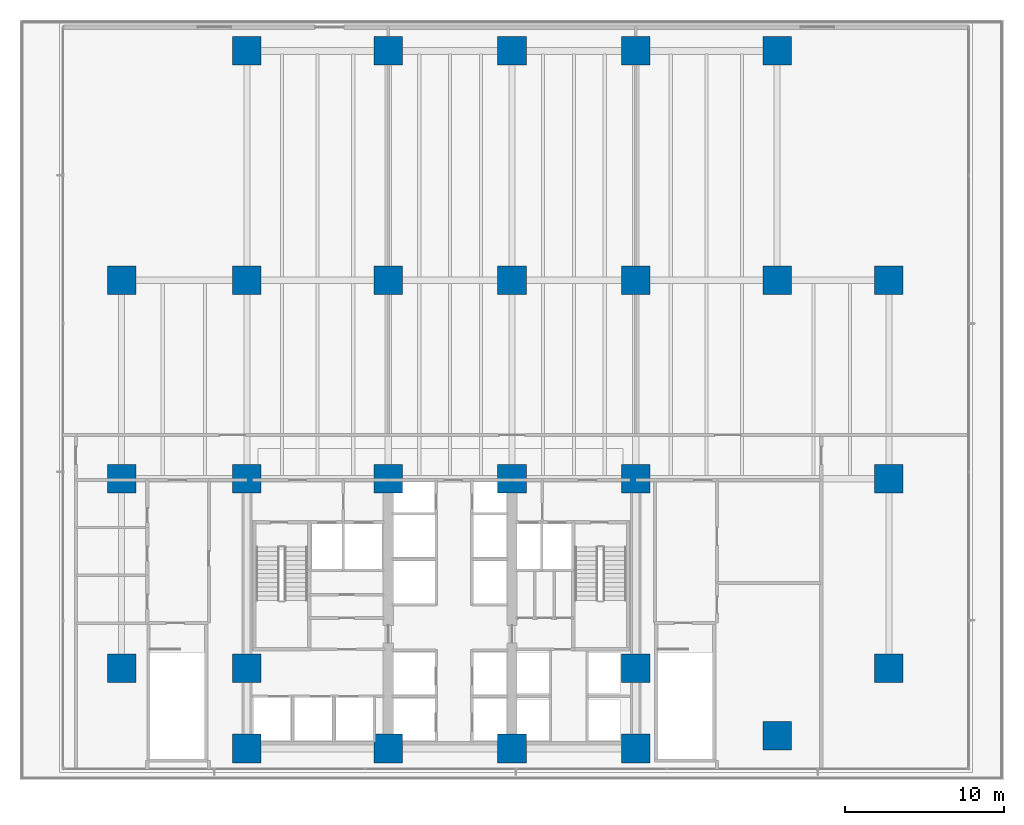
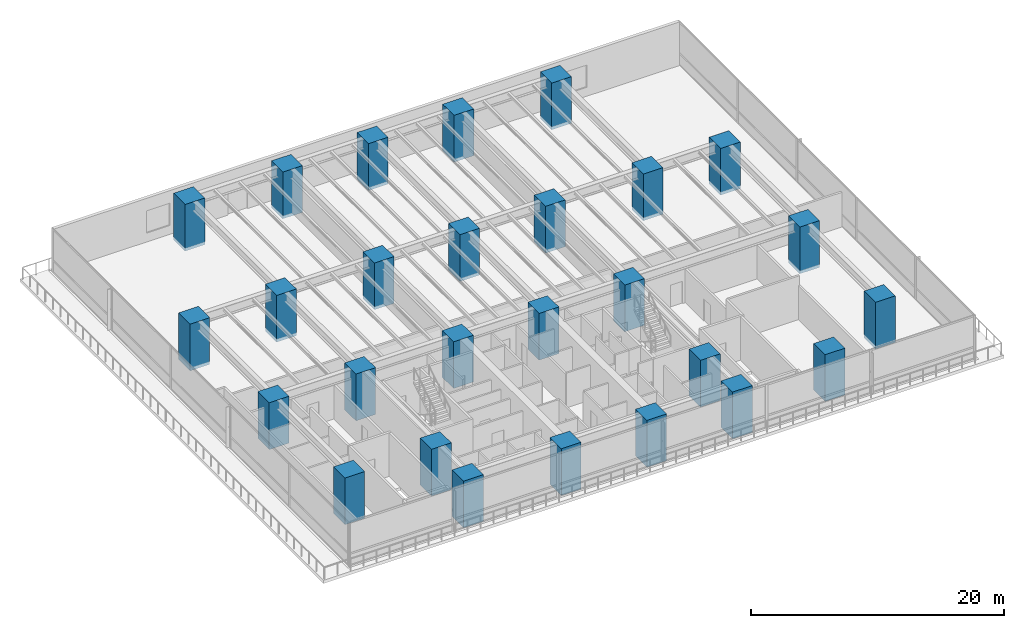
# One storey, part 1 of 21: 27 columns.
"""IFC4 building model written with IfcOpenShell, lengths in metres."""

import ifcopenshell
import ifcopenshell.guid

model = None  # the IFC model being written
_history = None  # IfcOwnerHistory: only IFC2X3 demands one
_inside = {}  # id of a spatial element -> (the spatial element, [elements in it])
_under = {}  # id of a project, library or spatial element -> (it, [spatial elements below it])
_declared = {}  # id of a project -> (the project, [libraries it declares])
_typed = {}  # id of a type object -> (the type object, [elements of that type])
_made_of = {}  # id of a material, layer set ... -> (it, [elements and type objects made of it])


def new_model(schema):
    """Start an empty IFC model of exactly this schema.

    Asked for "IFC4X3", IfcOpenShell would pick the latest addendum, in which some entities
    have other attributes; the version numbers below select the first issue.
    IFC2X3 requires an IfcOwnerHistory on every rooted entity: one is made here for all.
    """
    global model, _history
    if schema == "IFC4X3":
        model = ifcopenshell.file(schema_version=(4, 3, 0, 0))
    else:
        model = ifcopenshell.file(schema=schema)
    _inside.clear()
    _under.clear()
    _declared.clear()
    _typed.clear()
    _made_of.clear()
    _history = None
    if model.schema == "IFC2X3":
        org = make("IfcOrganization", Name="unknown")
        user = make(
            "IfcPersonAndOrganization",
            ThePerson=make("IfcPerson", FamilyName="unknown"),
            TheOrganization=org,
        )
        app = make(
            "IfcApplication",
            ApplicationDeveloper=org,
            Version="unknown",
            ApplicationFullName="unknown",
            ApplicationIdentifier="unknown",
        )
        _history = make(
            "IfcOwnerHistory",
            OwningUser=user,
            OwningApplication=app,
            ChangeAction="ADDED",
            CreationDate=0,
        )
    return model


def make(cls, **values):
    """One entity of the class cls with the attributes given. An attribute that is None is left unset."""
    return model.create_entity(
        cls, **{name: value for name, value in values.items() if value is not None}
    )


def rooted(cls, **values):
    """An entity with a GlobalId (a new one), such as an element, a storey or a relation."""
    return make(cls, GlobalId=ifcopenshell.guid.new(), OwnerHistory=_history, **values)


def si_unit(unit_type, name, prefix=None):
    """IfcSIUnit, for example si_unit("LENGTHUNIT", "METRE", prefix="MILLI")."""
    return make("IfcSIUnit", UnitType=unit_type, Prefix=prefix, Name=name)


def assignment(units):
    """IfcUnitAssignment: the units of a project."""
    return None if units is None else make("IfcUnitAssignment", Units=units)


def point(xyz):
    """IfcCartesianPoint."""
    return None if xyz is None else make("IfcCartesianPoint", Coordinates=xyz)


def direction(xyz):
    """IfcDirection."""
    return None if xyz is None else make("IfcDirection", DirectionRatios=xyz)


def frame(location, z_axis=None, x_axis=None):
    """IfcAxis2Placement3D, a coordinate frame: its origin and axes. An axis left out is left unset."""
    return make(
        "IfcAxis2Placement3D",
        Location=point(location),
        Axis=direction(z_axis),
        RefDirection=direction(x_axis),
    )


def frame_2d(location, x_axis=None):
    """IfcAxis2Placement2D, a coordinate frame in the plane: its origin and x axis."""
    return make(
        "IfcAxis2Placement2D", Location=point(location), RefDirection=direction(x_axis)
    )


def origin():
    """The frame at (0, 0, 0) with its axes left unset."""
    return frame((0.0, 0.0, 0.0))


def origin_2d():
    """The frame at (0, 0) in the plane with its x axis left unset."""
    return frame_2d((0.0, 0.0))


def place(relative_to, where):
    """IfcLocalPlacement: puts the frame where relative to a parent placement (None: the world)."""
    return make(
        "IfcLocalPlacement", PlacementRelTo=relative_to, RelativePlacement=where
    )


def context(
    kind, dimensions, precision=None, world=None, true_north=None, identifier=None
):
    """IfcGeometricRepresentationContext, for example the 3D "Model" context."""
    return make(
        "IfcGeometricRepresentationContext",
        ContextIdentifier=identifier,
        ContextType=kind,
        CoordinateSpaceDimension=dimensions,
        Precision=precision,
        WorldCoordinateSystem=world,
        TrueNorth=true_north,
    )


def subcontext(parent, identifier, kind, view, scale=None):
    """IfcGeometricRepresentationSubContext, for example "Body" below "Model"."""
    return make(
        "IfcGeometricRepresentationSubContext",
        ContextIdentifier=identifier,
        ContextType=kind,
        ParentContext=parent,
        TargetScale=scale,
        TargetView=view,
    )


def project(units=None, contexts=None):
    """IfcProject with its units and contexts."""
    return rooted(
        "IfcProject",
        Name="project",
        RepresentationContexts=contexts,
        UnitsInContext=assignment(units),
    )


def spatial(cls, under=None, at=None, **own):
    """A site, building, storey or space (cls), placed at a placement, below another one or the project."""
    s = rooted(cls, ObjectPlacement=at, **own)
    if under is not None:
        _under.setdefault(under.id(), (under, []))[1].append(s)
    return s


def profile(cls, at=None, kind="AREA", **sizes):
    """A parametric profile (cls). Its sizes go by their IFC names, for example OverallWidth=200.0."""
    return make(cls, ProfileType=kind, Position=at, **sizes)


def rectangle(**sizes):
    """IfcRectangleProfileDef."""
    return profile("IfcRectangleProfileDef", **sizes)


def extrude(swept, where, along, depth):
    """IfcExtrudedAreaSolid: the profile swept, set in the frame where, extruded along a direction by depth."""
    return make(
        "IfcExtrudedAreaSolid",
        SweptArea=swept,
        Position=where,
        ExtrudedDirection=direction(along),
        Depth=depth,
    )


def shape(context_of_items, identifier, shape_type, items):
    """IfcShapeRepresentation: the items that make up one representation, for example the "Body"."""
    return make(
        "IfcShapeRepresentation",
        ContextOfItems=context_of_items,
        RepresentationIdentifier=identifier,
        RepresentationType=shape_type,
        Items=items,
    )


def material(Name=None, Category=None):
    """IfcMaterial."""
    return make("IfcMaterial", Name=Name, Category=Category)


def material_profile(
    of_material, cross_section, Name=None, Category=None, Priority=None
):
    """IfcMaterialProfile: a cross section and its material."""
    return make(
        "IfcMaterialProfile",
        Name=Name,
        Material=of_material,
        Profile=cross_section,
        Priority=Priority,
        Category=Category,
    )


def profile_set(profiles, Name=None, composite=None):
    """IfcMaterialProfileSet."""
    return make(
        "IfcMaterialProfileSet",
        Name=Name,
        MaterialProfiles=profiles,
        CompositeProfile=composite,
    )


def made_of(thing, what):
    """Note that an element or type object is made of a material, layer set ...; save() writes the relation."""
    if what is not None:
        _made_of.setdefault(what.id(), (what, []))[1].append(thing)
    return thing


def type_object(cls, material=None, **own):
    """A type object (cls), such as IfcWallType, which elements share."""
    return made_of(rooted(cls, **own), material)


def element(
    cls,
    number,
    at=None,
    inside=None,
    cuts=None,
    type_object=None,
    material=None,
    context=None,
    identifier="Body",
    shape_type=None,
    held_by="IfcProductDefinitionShape",
    body=None,
    shapes=None,
    **own,
):
    """One element of the class cls, such as IfcWall. Its Tag is "e" and its number.

    at: its placement. inside: the storey or other place that contains it. cuts: it is an
    opening in that element (IfcRelVoidsElement). A single representation is given by context,
    identifier, shape_type and body (its items); several are given by shapes. held_by: the class
    of the entity that holds the representations. save() writes the other relations.
    """
    e = rooted(cls, Tag="e%d" % number, ObjectPlacement=at, **own)
    if body is not None:
        shapes = [shape(context, identifier, shape_type, body)]
    if shapes is not None:
        e.Representation = make(held_by, Representations=shapes)
    if inside is not None:
        _inside.setdefault(inside.id(), (inside, []))[1].append(e)
    if cuts is not None:
        rooted(
            "IfcRelVoidsElement", RelatingBuildingElement=cuts, RelatedOpeningElement=e
        )
    if type_object is not None:
        _typed.setdefault(type_object.id(), (type_object, []))[1].append(e)
    return made_of(e, material)


def aggregate(whole, parts):
    """IfcRelAggregates: a whole, such as a stair, and the parts it consists of."""
    return rooted("IfcRelAggregates", RelatingObject=whole, RelatedObjects=parts)


def save(model, path):
    """Write the relations noted so far, then the file.

    IfcRelAggregates (storeys below a building ...), IfcRelContainedInSpatialStructure (elements
    in a storey), IfcRelDefinesByType, IfcRelAssociatesMaterial and IfcRelDeclares: one each for
    every whole, place, type object, material and project.
    """
    for whole, parts in _under.values():
        aggregate(whole, parts)
    for where, things in _inside.values():
        rooted(
            "IfcRelContainedInSpatialStructure",
            RelatedElements=things,
            RelatingStructure=where,
        )
    for kind, things in _typed.values():
        rooted("IfcRelDefinesByType", RelatedObjects=things, RelatingType=kind)
    for what, things in _made_of.values():
        rooted("IfcRelAssociatesMaterial", RelatedObjects=things, RelatingMaterial=what)
    for by, libraries in _declared.values():
        rooted("IfcRelDeclares", RelatingContext=by, RelatedDefinitions=libraries)
    model.write(path)


model = new_model("IFC4")

# Units and contexts
model_context = context("Model", 3, precision=1e-05, world=origin(), true_north=direction((0.0, 1.0)))
body_context = subcontext(model_context, "Body", "Model", "MODEL_VIEW")
ifc_project = project(units=[si_unit("LENGTHUNIT", "METRE"), si_unit("AREAUNIT", "SQUARE_METRE"), si_unit("VOLUMEUNIT", "CUBIC_METRE"), si_unit("PLANEANGLEUNIT", "RADIAN"), si_unit("MASSUNIT", "GRAM", prefix="KILO")], contexts=[model_context])

# Site, building, storey
site_placement = place(None, origin())
site = spatial("IfcSite", under=ifc_project, at=site_placement, CompositionType="ELEMENT")
building_placement = place(site_placement, origin())
building = spatial("IfcBuilding", under=site, at=building_placement, Name="Qalmaran Belvedere Hotel", CompositionType="ELEMENT")
storey_placement = place(building_placement, frame((0.0, 0.0, 23.800048828125)))
storey = spatial("IfcBuildingStorey", under=building, at=storey_placement, Name="L05", CompositionType="ELEMENT", Elevation=23.800048828125)

# Columns
ifc_material = material(Name="Concrete C60/75", Category="concrete")
ifc_material_profile = material_profile(ifc_material, rectangle(XDim=1.800048828125, YDim=1.800048828125, at=origin_2d()), Name="MC1800X1800")
ifc_profile_set = profile_set([ifc_material_profile], Name="Concrete C60/75")
column_type = type_object("IfcColumnType", Name="COL-POD-MC1800", PredefinedType="COLUMN", material=ifc_profile_set)
for number, where, z_axis, x_axis, name in (
    (1, (20.300048828125, 3.5, -0.300048828125), (0.0, 0.0, 1.0), (1.0, 0.0, 0.0), "L05 Column C4B"),
    (2, (29.199951171875, 3.5, -0.300048828125), (0.0, 0.0, 1.0), (1.0, 0.0, 0.0), "L05 Column C5B"),
    (3, (37.0, 3.5, -0.300048828125), (0.0, 0.0, 1.0), (1.0, 0.0, 0.0), "L05 Column C6B"),
    (4, (44.800048828125, 3.5, -0.300048828125), (0.0, 0.0, 1.0), (1.0, 0.0, 0.0), "L05 Column C7B"),
    (5, (20.300048828125, 8.550048828125, -0.300048828125), (0.0, 0.0, 1.0), (1.0, 0.0, 0.0), "L05 Column C4C"),
    (6, (44.800048828125, 8.550048828125, -0.300048828125), (0.0, 0.0, 1.0), (1.0, 0.0, 0.0), "L05 Column C7C"),
    (7, (20.300048828125, 20.5, -0.300048828125), (0.0, 0.0, 1.0), (1.0, 0.0, 0.0), "L05 Column C4D"),
    (8, (29.199951171875, 20.5, -0.300048828125), (0.0, 0.0, 1.0), (1.0, 0.0, 0.0), "L05 Column C5D"),
    (9, (37.0, 20.5, -0.300048828125), (0.0, 0.0, 1.0), (1.0, 0.0, 0.0), "L05 Column C6D"),
    (10, (44.800048828125, 20.5, -0.300048828125), (0.0, 0.0, 1.0), (1.0, 0.0, 0.0), "L05 Column C7D"),
    (11, (20.300048828125, 33.0, -0.300048828125), (0.0, 0.0, 1.0), (1.0, 0.0, 0.0), "L05 Column C4F"),
    (12, (29.199951171875, 33.0, -0.300048828125), (0.0, 0.0, 1.0), (1.0, 0.0, 0.0), "L05 Column C5F"),
    (13, (37.0, 33.0, -0.300048828125), (0.0, 0.0, 1.0), (1.0, 0.0, 0.0), "L05 Column C6F"),
    (14, (44.800048828125, 33.0, -0.300048828125), (0.0, 0.0, 1.0), (1.0, 0.0, 0.0), "L05 Column C7F"),
    (15, (12.39990234375, 8.550048828125, -0.300048828125), (0.0, 0.0, 1.0), (1.0, 0.0, 0.0), "L05 Column CW1"),
    (16, (12.39990234375, 20.5, -0.300048828125), (0.0, 0.0, 1.0), (1.0, 0.0, 0.0), "L05 Column CW3"),
    (17, (12.39990234375, 33.0, -0.300048828125), (0.0, 0.0, 1.0), (1.0, 0.0, 0.0), "L05 Column CW4"),
    (18, (20.300048828125, 47.449951171875, -0.300048828125), (0.0, 0.0, 1.0), (1.0, 0.0, 0.0), "L05 Column CN1"),
    (19, (29.199951171875, 47.449951171875, -0.300048828125), (0.0, 0.0, 1.0), (1.0, 0.0, 0.0), "L05 Column CN2"),
    (20, (37.0, 47.449951171875, -0.300048828125), (0.0, 0.0, 1.0), (1.0, 0.0, 0.0), "L05 Column CN3"),
    (21, (44.800048828125, 47.449951171875, -0.300048828125), (0.0, 0.0, 1.0), (1.0, 0.0, 0.0), "L05 Column CN4"),
    (22, (53.699951171875, 47.449951171875, -0.300048828125), (0.0, 0.0, 1.0), (1.0, 0.0, 0.0), "L05 Column CN5"),
    (23, (60.75, 8.550048828125, -0.300048828125), (0.0, 0.0, 1.0), (1.0, 0.0, 0.0), "L05 Column CE1"),
    (24, (60.75, 20.5, -0.300048828125), (0.0, 0.0, 1.0), (1.0, 0.0, 0.0), "L05 Column CE3"),
    (25, (60.75, 33.0, -0.300048828125), (0.0, 0.0, 1.0), (1.0, 0.0, 0.0), "L05 Column CE4"),
    (26, (53.699951171875, 4.300048828125, -0.300048828125), (0.0, 0.0, 1.0), (1.0, 0.0, 0.0), "L05 Column CSE1"),
    (27, (53.699951171875, 33.0, -0.300048828125), (0.0, 0.0, 1.0), (1.0, 0.0, 0.0), "L05 Column CSN5"),
):
    element("IfcColumn", number, at=place(storey_placement, frame(where, z_axis=z_axis, x_axis=x_axis)), inside=storey, type_object=column_type, Name=name, PredefinedType="COLUMN", context=body_context, shape_type="SweptSolid", body=[
        extrude(rectangle(XDim=1.800048828125, YDim=1.800048828125, at=origin_2d()), origin(), (0.0, 0.0, 1.0), 4.5),
    ])

save(model, "model.ifc")
